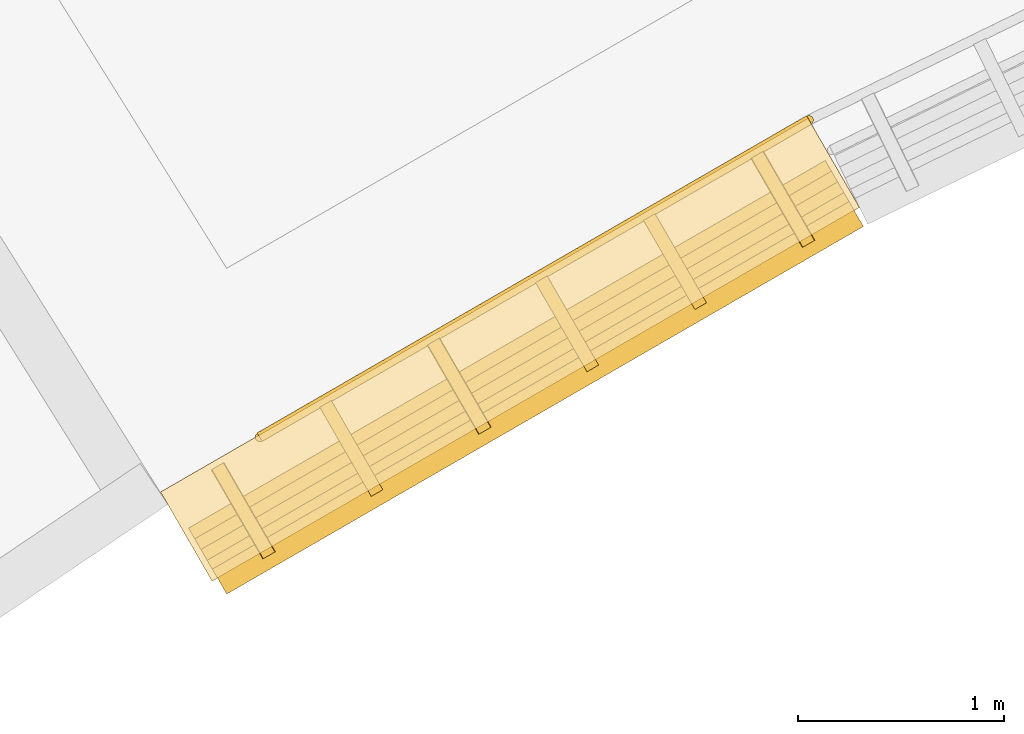
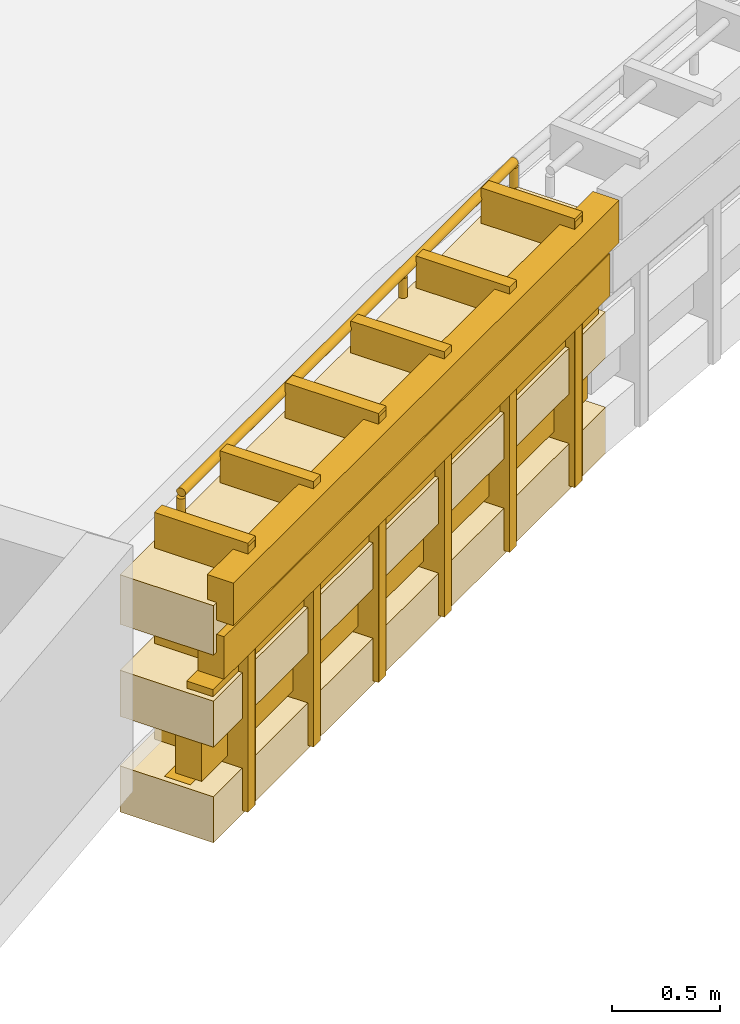
# One storey, part 55 of 62: 11 shading devices, 6 coverings, 1 railing.
"""IFC4 building model written with IfcOpenShell, lengths in metres."""

from ifc_helpers import new_model, si_unit, direction, frame, frame_2d, origin, origin_2d, place, context, subcontext, project, spatial, rectangle, circle, extrude, material, layer, layer_set, type_object, element, save


model = new_model("IFC4")

# Units and contexts
model_context = context("Model", 3, precision=1e-05, world=origin(), true_north=direction((0.0, 1.0)))
body_context = subcontext(model_context, "Body", "Model", "MODEL_VIEW")
ifc_project = project(units=[si_unit("LENGTHUNIT", "METRE"), si_unit("AREAUNIT", "SQUARE_METRE"), si_unit("VOLUMEUNIT", "CUBIC_METRE"), si_unit("PLANEANGLEUNIT", "RADIAN"), si_unit("MASSUNIT", "GRAM", prefix="KILO")], contexts=[model_context])

# Site, building, storey
site_placement = place(None, origin())
site = spatial("IfcSite", under=ifc_project, at=site_placement, CompositionType="ELEMENT")
building_placement = place(site_placement, origin())
building = spatial("IfcBuilding", under=site, at=building_placement, Name="Clarverna Civic Hall", CompositionType="ELEMENT")
storey_placement = place(building_placement, frame((0.0, 0.0, 5.10009765625)))
storey = spatial("IfcBuildingStorey", under=building, at=storey_placement, Name="L01", CompositionType="ELEMENT", Elevation=5.10009765625)

# Coverings
ifc_material_1 = material(Name="Thermally Modified Teak Wood Slat Fascia Cladding", Category="wood")
ifc_layer_1 = layer(ifc_material_1, 0.080078125)
ifc_layer_set_1 = layer_set([ifc_layer_1], Name="Thermally Modified Teak Wood Slat Fascia Cladding")
covering_type = type_object("IfcCoveringType", Name="CV-CL1", PredefinedType="CLADDING", material=ifc_layer_set_1)
for number, where, z_axis, x_axis, name in (
    (1, (127.677490234375, 53.75732421875, -0.380126953125), (0.0, 0.0, 1.0), (-0.866036609027, -0.499980591448, 0.0), "CV-CL1-087"),
    (2, (127.677490234375, 53.75732421875, 0.159912109375), (0.0, 0.0, 1.0), (-0.866036609027, -0.499980591448, 0.0), "CV-CL1-088"),
):
    element("IfcCovering", number, at=place(storey_placement, frame(where, z_axis=z_axis, x_axis=x_axis)), inside=storey, type_object=covering_type, Name=name, PredefinedType="CLADDING", context=body_context, shape_type="SweptSolid", body=[
        extrude(rectangle(XDim=3.629638671875, YDim=0.5, at=frame_2d((1.81494140625, 0.0))), origin(), (0.0, 0.0, 1.0), 0.260009765625),
    ])
covering_1_placement = place(storey_placement, frame((127.677490234375, 53.75732421875, 0.679931640625), z_axis=(0.0, 0.0, 1.0), x_axis=(-0.866036609027, -0.499980591448, 0.0)))
element("IfcCovering", 3, at=covering_1_placement, inside=storey, type_object=covering_type, Name="CV-CL1-089", PredefinedType="CLADDING", context=body_context, shape_type="SweptSolid", body=[
    extrude(rectangle(XDim=3.629638671875, YDim=0.5, at=frame_2d((1.81494140625, 0.0))), origin(), (0.0, 0.0, 1.0), 0.280029296875),
])
covering_2_placement = place(storey_placement, frame((127.3056640625, 53.796630859375, -0.360107421875), z_axis=(0.0, 0.0, 1.0), x_axis=(0.500131122175, -0.865949687125, 0.0)))
element("IfcCovering", 4, at=covering_2_placement, inside=storey, type_object=covering_type, Name="CV-CL1-090", PredefinedType="CLADDING", context=body_context, shape_type="SweptSolid", body=[
    extrude(rectangle(XDim=0.499755859375, YDim=0.070068359375, at=frame_2d((0.25, 0.0))), origin(), (0.0, 0.0, 1.0), 1.52001953125),
])
for number, where, z_axis, x_axis, name in (
    (5, (125.73388671875, 52.889404296875, -0.360107421875), (0.0, 0.0, 1.0), (0.499919672301, -0.866071776036, 0.0), "CV-CL1-091"),
    (6, (124.68603515625, 52.284423828125, -0.360107421875), (0.0, 0.0, 1.0), (0.499919672301, -0.866071776036, 0.0), "CV-CL1-092"),
):
    element("IfcCovering", number, at=place(storey_placement, frame(where, z_axis=z_axis, x_axis=x_axis)), inside=storey, type_object=covering_type, Name=name, PredefinedType="CLADDING", context=body_context, shape_type="SweptSolid", body=[
        extrude(rectangle(XDim=0.5, YDim=0.070068359375, at=frame_2d((0.25, 0.0))), origin(), (0.0, 0.0, 1.0), 1.52001953125),
    ])

# Railing
ifc_material_2 = material(Name="Anodised Bronze Architectural Balustrade")
railing_type = type_object("IfcRailingType", Name="GR-01", PredefinedType="BALUSTRADE", material=ifc_material_2)
railing_placement = place(storey_placement, frame((127.5576171875, 53.96533203125, 0.0)))
element("IfcRailing", 7, at=railing_placement, inside=storey, type_object=railing_type, Name="GR-01-003", PredefinedType="BALUSTRADE", context=body_context, shape_type="SweptSolid", body=[
    extrude(circle(Radius=0.02392578125, at=origin_2d()), frame((0.0, 0.0, 1.09619140625), z_axis=(-0.866049645853, -0.499958009155, 0.0), x_axis=(0.499958009155, -0.866049645853, 0.0)), (0.0, 0.0, 1.0), 3.080322265625),
    extrude(circle(Radius=0.011962890625, at=origin_2d()), frame((0.0, 0.0, 0.39208984375), z_axis=(-0.866049645853, -0.499958009155, 0.0), x_axis=(0.499958009155, -0.866049645853, 0.0)), (0.0, 0.0, 1.0), 3.080322265625),
    extrude(circle(Radius=0.011962890625, at=origin_2d()), frame((0.0, 0.0, 0.76171875), z_axis=(-0.866049645853, -0.499958009155, 0.0), x_axis=(0.499958009155, -0.866049645853, 0.0)), (0.0, 0.0, 1.0), 3.080322265625),
    extrude(circle(Radius=0.02099609375, at=origin_2d()), origin(), (0.0, 0.0, 1.0), 1.072021484375),
    extrude(circle(Radius=0.02099609375, at=origin_2d()), frame((-0.88916015625, -0.513427734375, 0.0)), (0.0, 0.0, 1.0), 1.072021484375),
    extrude(circle(Radius=0.02099609375, at=origin_2d()), frame((-1.778564453125, -1.026611328125, 0.0)), (0.0, 0.0, 1.0), 1.072021484375),
    extrude(circle(Radius=0.02099609375, at=origin_2d()), frame((-2.667724609375, -1.5400390625, 0.0)), (0.0, 0.0, 1.0), 1.072021484375),
])

# Shading devices
ifc_material_3 = material(Name="Thermally Modified Teak Wood Slats", Category="wood")
ifc_layer_2 = layer(ifc_material_3, 0.06494140625)
ifc_layer_set_2 = layer_set([ifc_layer_2], Name="Thermally Modified Teak Wood Slats")
shading_device_type = type_object("IfcShadingDeviceType", Name="SD-WD1", PredefinedType="JALOUSIE", material=ifc_layer_set_2)
for number, where, z_axis, x_axis, name in (
    (8, (127.67138671875, 53.707763671875, -0.360107421875), (0.0, 0.0, 1.0), (-0.866037519928, -0.499979013637, 0.0), "SD-WD1-056"),
    (9, (127.701416015625, 53.65576171875, -0.080078125), (0.0, 0.0, 1.0), (-0.866037519928, -0.499979013637, 0.0), "SD-WD1-057"),
    (10, (127.7314453125, 53.60400390625, 0.219970703125), (0.0, 0.0, 1.0), (-0.866007903661, -0.500030309877, 0.0), "SD-WD1-058"),
    (11, (127.761474609375, 53.552001953125, 0.539794921875), (0.0, 0.0, 1.0), (-0.866007903661, -0.500030309877, 0.0), "SD-WD1-059"),
    (12, (127.78662109375, 53.508544921875, 0.85986328125), (0.0, 0.0, 1.0), (-0.866037519928, -0.499979013637, 0.0), "SD-WD1-060"),
):
    element("IfcShadingDevice", number, at=place(storey_placement, frame(where, z_axis=z_axis, x_axis=x_axis)), inside=storey, type_object=shading_device_type, Name=name, PredefinedType="JALOUSIE", context=body_context, shape_type="SweptSolid", body=[
        extrude(rectangle(XDim=3.569580078125, YDim=0.139892578125, at=frame_2d((1.78466796875, 0.0))), origin(), (0.0, 0.0, 1.0), 0.239990234375),
    ])
for number, where, z_axis, x_axis, name in (
    (13, (127.3056640625, 53.796630859375, -0.360107421875), (0.0, 0.0, 1.0), (0.500131122175, -0.865949687125, 0.0), "SD-WD1-061"),
    (14, (126.78173828125, 53.494140625, -0.360107421875), (0.0, 0.0, 1.0), (0.500131122175, -0.865949687125, 0.0), "SD-WD1-062"),
):
    element("IfcShadingDevice", number, at=place(storey_placement, frame(where, z_axis=z_axis, x_axis=x_axis)), inside=storey, type_object=shading_device_type, Name=name, PredefinedType="JALOUSIE", context=body_context, shape_type="SweptSolid", body=[
        extrude(rectangle(XDim=0.499755859375, YDim=0.06494140625, at=frame_2d((0.25, 0.0))), origin(), (0.0, 0.0, 1.0), 1.5),
    ])
for number, where, z_axis, x_axis, name in (
    (15, (126.2578125, 53.19189453125, -0.360107421875), (0.0, 0.0, 1.0), (0.499919672301, -0.866071776036, 0.0), "SD-WD1-063"),
    (16, (125.73388671875, 52.889404296875, -0.360107421875), (0.0, 0.0, 1.0), (0.499919672301, -0.866071776036, 0.0), "SD-WD1-064"),
    (17, (125.2099609375, 52.5869140625, -0.360107421875), (0.0, 0.0, 1.0), (0.499919672301, -0.866071776036, 0.0), "SD-WD1-065"),
    (18, (124.68603515625, 52.284423828125, -0.360107421875), (0.0, 0.0, 1.0), (0.499919672301, -0.866071776036, 0.0), "SD-WD1-066"),
):
    element("IfcShadingDevice", number, at=place(storey_placement, frame(where, z_axis=z_axis, x_axis=x_axis)), inside=storey, type_object=shading_device_type, Name=name, PredefinedType="JALOUSIE", context=body_context, shape_type="SweptSolid", body=[
        extrude(rectangle(XDim=0.5, YDim=0.06494140625, at=frame_2d((0.25, 0.0))), origin(), (0.0, 0.0, 1.0), 1.5),
    ])

save(model, "model.ifc")
